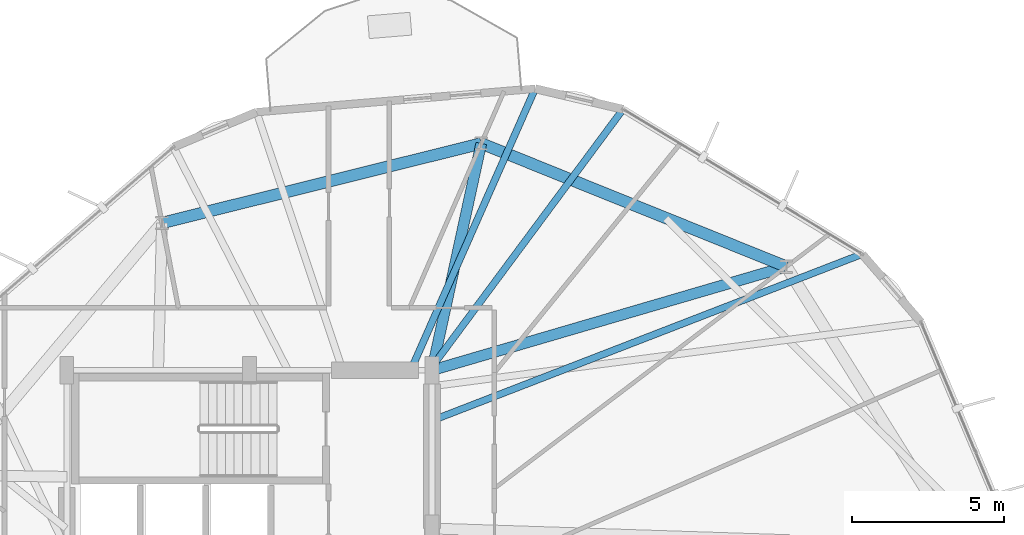
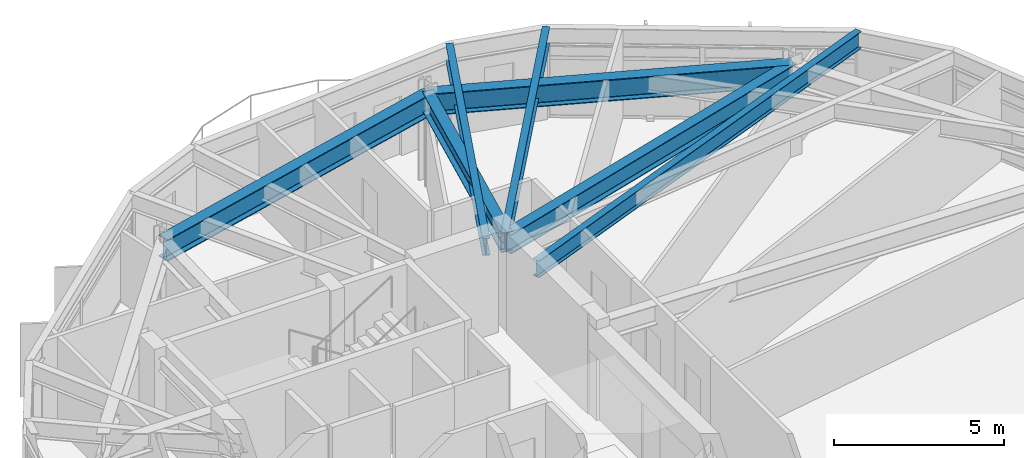
# One storey, part 17 of 27: 7 beams.
"""IFC4 building model written with IfcOpenShell, lengths in metres."""

from ifc_helpers import new_model, si_unit, direction, frame, origin, origin_2d, place, context, subcontext, project, spatial, i_section, extrude, material, material_profile, profile_set, type_object, element, save


model = new_model("IFC4")

# Units and contexts
model_context = context("Model", 3, precision=1e-05, world=origin(), true_north=direction((0.0, 1.0)))
body_context = subcontext(model_context, "Body", "Model", "MODEL_VIEW")
ifc_project = project(units=[si_unit("LENGTHUNIT", "METRE"), si_unit("AREAUNIT", "SQUARE_METRE"), si_unit("VOLUMEUNIT", "CUBIC_METRE"), si_unit("PLANEANGLEUNIT", "RADIAN"), si_unit("MASSUNIT", "GRAM", prefix="KILO")], contexts=[model_context])

# Site, building, storey
site_placement = place(None, origin())
site = spatial("IfcSite", under=ifc_project, at=site_placement, CompositionType="ELEMENT")
building_placement = place(site_placement, origin())
building = spatial("IfcBuilding", under=site, at=building_placement, Name="Soratama Intermodal Tower", CompositionType="ELEMENT")
storey_placement = place(building_placement, frame((0.0, 0.0, 182.199951171875)))
storey = spatial("IfcBuildingStorey", under=building, at=storey_placement, Name="L45", CompositionType="ELEMENT", Elevation=182.199951171875)

# Beams
ifc_material_1 = material(Name="Structural steel ASTM A992 Grade 50", Category="steel")
ifc_material_profile_1 = material_profile(ifc_material_1, i_section(OverallWidth=0.35498046875, OverallDepth=0.695068359375, WebThickness=0.015380859375, FlangeThickness=0.02490234375, FilletRadius=0.01611328125, at=origin_2d()), Name="W27X146")
ifc_profile_set_1 = profile_set([ifc_material_profile_1], Name="Structural steel ASTM A992 Grade 50")
beam_type_1 = type_object("IfcBeamType", Name="BM-RING-W27X146", PredefinedType="BEAM", material=ifc_profile_set_1)
beam_1_placement = place(storey_placement, frame((44.60009765625, 35.0, 2.91259765625), z_axis=(0.959813691047, 0.280637984738, 0.0), x_axis=(-0.280637984738, 0.959813691047, 0.0)))
element("IfcBeam", 1, at=beam_1_placement, inside=storey, type_object=beam_type_1, Name="BM-L45-RAD-02", PredefinedType="BEAM", context=body_context, shape_type="SweptSolid", body=[
    extrude(i_section(OverallWidth=0.35498046875, OverallDepth=0.695068359375, WebThickness=0.015380859375, FlangeThickness=0.02490234375, FilletRadius=0.01611328125, at=origin_2d()), origin(), (0.0, 0.0, 1.0), 12.13671875),
])
beam_2_placement = place(storey_placement, frame((44.60009765625, 35.0, 2.91259765625), z_axis=(0.212399095304, 0.977183004515, 0.0), x_axis=(-0.977183004515, 0.212399095304, 0.0)))
element("IfcBeam", 2, at=beam_2_placement, inside=storey, type_object=beam_type_1, Name="BM-L45-RAD-03", PredefinedType="BEAM", context=body_context, shape_type="SweptSolid", body=[
    extrude(i_section(OverallWidth=0.35498046875, OverallDepth=0.695068359375, WebThickness=0.015380859375, FlangeThickness=0.02490234375, FilletRadius=0.01611328125, at=origin_2d()), origin(), (0.0, 0.0, 1.0), 7.631103515625),
])
ifc_material_2 = material(Name="Structural steel ASTM A992 Grade 50", Category="steel")
ifc_material_profile_2 = material_profile(ifc_material_2, i_section(OverallWidth=0.382080078125, OverallDepth=0.779052734375, WebThickness=0.01806640625, FlangeThickness=0.030029296875, FilletRadius=0.01806640625, at=origin_2d()), Name="W30X191")
ifc_profile_set_2 = profile_set([ifc_material_profile_2], Name="Structural steel ASTM A992 Grade 50")
beam_type_2 = type_object("IfcBeamType", Name="BM-RING-W30X191", PredefinedType="BEAM", material=ifc_profile_set_2)
beam_3_placement = place(storey_placement, frame((56.2490234375, 38.406005859375, 2.87060546875), z_axis=(-0.927202491827, 0.374560461275, 0.0), x_axis=(-0.374560461275, -0.927202491827, 0.0)))
element("IfcBeam", 3, at=beam_3_placement, inside=storey, type_object=beam_type_2, Name="BM-L45-RING-02", PredefinedType="BEAM", context=body_context, shape_type="SweptSolid", body=[
    extrude(i_section(OverallWidth=0.382080078125, OverallDepth=0.779052734375, WebThickness=0.01806640625, FlangeThickness=0.030029296875, FilletRadius=0.01806640625, at=origin_2d()), origin(), (0.0, 0.0, 1.0), 10.8154296875),
])
beam_4_placement = place(storey_placement, frame((46.220947265625, 42.45703125, 2.87060546875), z_axis=(-0.970310893227, -0.241861056155, 0.0), x_axis=(0.241861056155, -0.970310893227, 0.0)))
element("IfcBeam", 4, at=beam_4_placement, inside=storey, type_object=beam_type_2, Name="BM-L45-RING-03", PredefinedType="BEAM", context=body_context, shape_type="SweptSolid", body=[
    extrude(i_section(OverallWidth=0.382080078125, OverallDepth=0.779052734375, WebThickness=0.01806640625, FlangeThickness=0.030029296875, FilletRadius=0.01806640625, at=origin_2d()), origin(), (0.0, 0.0, 1.0), 10.81591796875),
])
ifc_material_3 = material(Name="Structural steel ASTM A992 Grade 50", Category="steel")
ifc_material_profile_3 = material_profile(ifc_material_3, i_section(OverallWidth=0.22900390625, OverallDepth=0.612060546875, WebThickness=0.011962890625, FlangeThickness=0.01953125, FilletRadius=0.012939453125, at=origin_2d()), Name="W24X84")
ifc_profile_set_3 = profile_set([ifc_material_profile_3], Name="Structural steel ASTM A992 Grade 50")
beam_type_3 = type_object("IfcBeamType", Name="BM-TIE-W24X84", PredefinedType="BEAM", material=ifc_profile_set_3)
beam_5_placement = place(storey_placement, frame((44.636962890625, 33.360107421875, 2.9541015625), z_axis=(0.93255196834, 0.36103576879, 0.0), x_axis=(-0.36103576879, 0.93255196834, 0.0)))
element("IfcBeam", 5, at=beam_5_placement, inside=storey, type_object=beam_type_3, Name="BM-L45-TIE0-01", PredefinedType="BEAM", context=body_context, shape_type="SweptSolid", body=[
    extrude(i_section(OverallWidth=0.22900390625, OverallDepth=0.612060546875, WebThickness=0.011962890625, FlangeThickness=0.01953125, FilletRadius=0.012939453125, at=origin_2d()), origin(), (0.0, 0.0, 1.0), 15.123046875),
])
beam_6_placement = place(storey_placement, frame((44.541015625, 35.031982421875, 2.9541015625), z_axis=(0.595722826774, 0.803190085634, 0.0), x_axis=(-0.803190085634, 0.595722826774, 0.0)))
element("IfcBeam", 6, at=beam_6_placement, inside=storey, type_object=beam_type_3, Name="BM-L45-TIE1-01", PredefinedType="BEAM", context=body_context, shape_type="SweptSolid", body=[
    extrude(i_section(OverallWidth=0.22900390625, OverallDepth=0.612060546875, WebThickness=0.011962890625, FlangeThickness=0.01953125, FilletRadius=0.012939453125, at=origin_2d()), origin(), (0.0, 0.0, 1.0), 10.642578125),
])
beam_7_placement = place(storey_placement, frame((43.919921875, 35.037109375, 2.9541015625), z_axis=(0.404085615009, 0.914721168304, 0.0), x_axis=(-0.914721168304, 0.404085615009, 0.0)))
element("IfcBeam", 7, at=beam_7_placement, inside=storey, type_object=beam_type_3, Name="BM-L45-TIE0-02", PredefinedType="BEAM", context=body_context, shape_type="SweptSolid", body=[
    extrude(i_section(OverallWidth=0.22900390625, OverallDepth=0.612060546875, WebThickness=0.011962890625, FlangeThickness=0.01953125, FilletRadius=0.012939453125, at=origin_2d()), origin(), (0.0, 0.0, 1.0), 10.07958984375),
])

save(model, "model.ifc")
